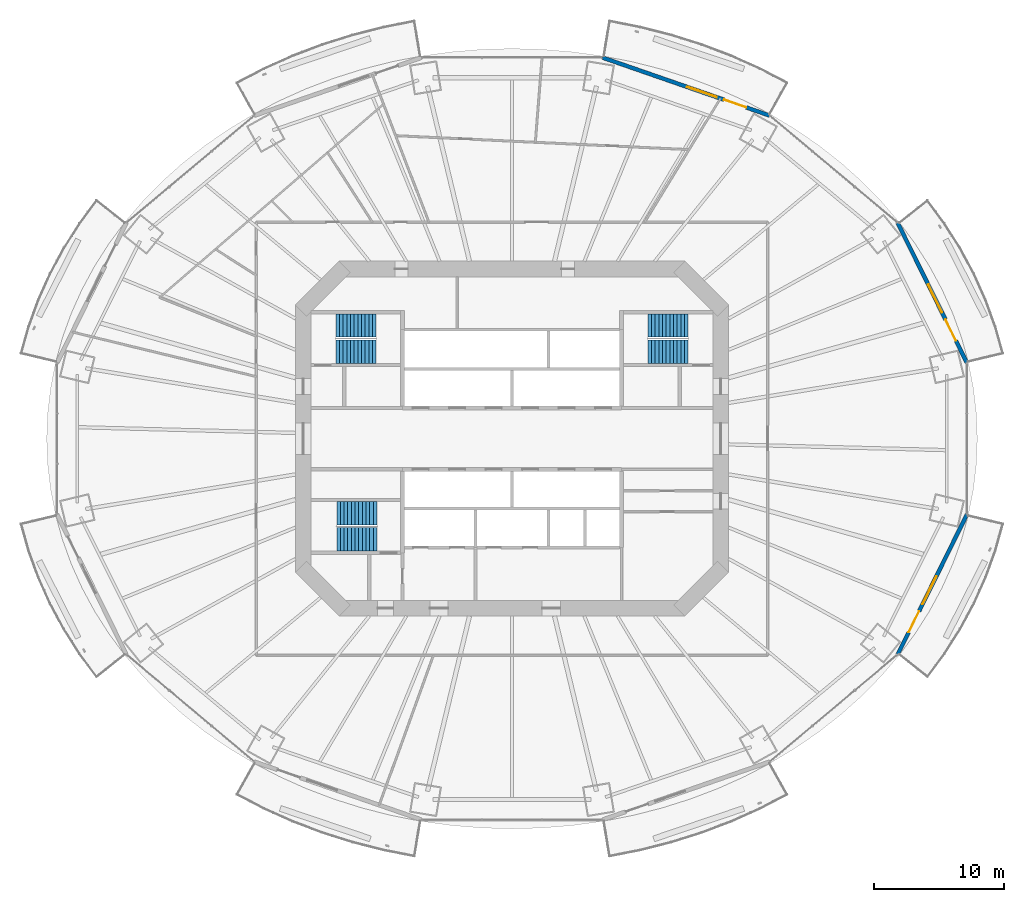
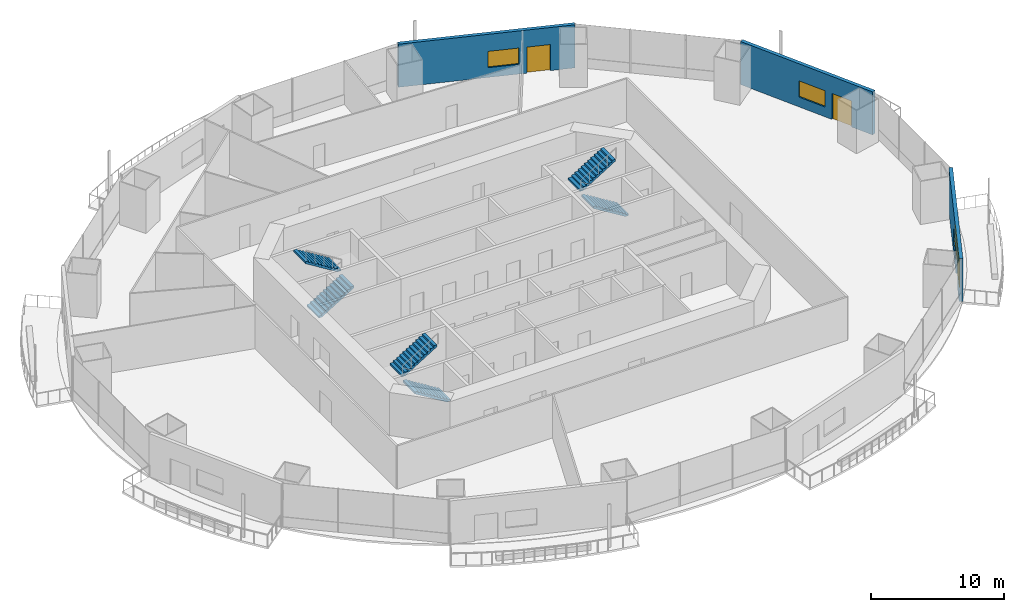
# One storey, part 16 of 22: 6 stair flights, 3 doors, 3 walls, 3 windows, 6 openings, 3 elements without a shape of their own.
"""IFC4 building model written with IfcOpenShell, lengths in metres."""

from ifc_helpers import new_model, si_unit, direction, frame, frame_2d, origin, place, context, subcontext, project, spatial, polyline, rectangle, outline, extrude, material, layer, layer_set, type_object, element, fill, aggregate, save


model = new_model("IFC4")

# Units and contexts
model_context = context("Model", 3, precision=1e-05, world=origin(), true_north=direction((0.0, 1.0)))
body_context = subcontext(model_context, "Body", "Model", "MODEL_VIEW")
ifc_project = project(units=[si_unit("LENGTHUNIT", "METRE"), si_unit("AREAUNIT", "SQUARE_METRE"), si_unit("VOLUMEUNIT", "CUBIC_METRE"), si_unit("PLANEANGLEUNIT", "RADIAN"), si_unit("MASSUNIT", "GRAM", prefix="KILO")], contexts=[model_context])

# Site, building, storey
site_placement = place(None, origin())
site = spatial("IfcSite", under=ifc_project, at=site_placement, CompositionType="ELEMENT")
building_placement = place(site_placement, origin())
building = spatial("IfcBuilding", under=site, at=building_placement, Name="Marenthal Gate Tower", CompositionType="ELEMENT")
storey_placement = place(building_placement, frame((0.0, 0.0, 78.64990234375)))
storey = spatial("IfcBuildingStorey", under=building, at=storey_placement, Name="L15", CompositionType="ELEMENT", Elevation=78.64990234375)

# Wall, openings, door, window
ifc_material_1 = material(Name="Terracotta cladding on insulated concrete-block backing", Category="masonry")
ifc_layer = layer(ifc_material_1, 0.300048828125)
ifc_layer_set = layer_set([ifc_layer], Name="Terracotta facade wall 300")
wall_type = type_object("IfcWallType", Name="Terracotta facade wall 300", PredefinedType="SOLIDWALL", material=ifc_layer_set)
wall_1_placement = place(storey_placement, frame((34.869873046875, 5.810546875, 0.0), z_axis=(0.0, 0.0, 1.0), x_axis=(-0.443222110109, 0.896411825619, 0.0)))
wall_1 = element("IfcWall", 1, at=wall_1_placement, inside=storey, type_object=wall_type, Name="Terracotta facade wall L15 bay 1", PredefinedType="SOLIDWALL", context=body_context, shape_type="SweptSolid", body=[
    extrude(rectangle(XDim=11.977294921875, YDim=0.300048828125, at=frame_2d((5.98876953125, 0.0))), origin(), (0.0, 0.0, 1.0), 3.97021484375),
])
opening_1_placement = place(wall_1_placement, frame((1.89990234375, 0.0, 0.0)))
opening_1 = element("IfcOpeningElement", 2, at=opening_1_placement, cuts=wall_1, Name="Opening BD-L15-01", PredefinedType="OPENING", context=body_context, shape_type="SweptSolid", body=[
    extrude(rectangle(XDim=1.800048828125, YDim=2.39990234375, at=frame_2d((0.89990234375, 1.199951171875))), frame((0.0, 0.16015625, 0.0), z_axis=(0.0, -1.0, 0.0), x_axis=(1.0, 0.0, 0.0)), (0.0, 0.0, 1.0), 0.320068359375),
])
opening_2_placement = place(wall_1_placement, frame((4.300048828125, 0.0, 0.89990234375)))
opening_2 = element("IfcOpeningElement", 3, at=opening_2_placement, cuts=wall_1, Name="Opening WN1-L15-01", PredefinedType="OPENING", context=body_context, shape_type="SweptSolid", body=[
    extrude(rectangle(XDim=2.39990234375, YDim=1.5, at=frame_2d((1.199951171875, 0.75))), frame((0.0, 0.16015625, 0.0), z_axis=(0.0, -1.0, 0.0), x_axis=(1.0, 0.0, 0.0)), (0.0, 0.0, 1.0), 0.320068359375),
])
ifc_material_2 = material(Name="Aluminium and glass", Category="aluminium")
door_type = type_object("IfcDoorType", Name="Balcony door 1800x2400", OperationType="DOUBLE_DOOR_SINGLE_SWING", PredefinedType="DOOR", material=ifc_material_2)
door_1_placement = place(opening_1_placement, origin())
door_1 = element("IfcDoor", 4, at=door_1_placement, inside=storey, type_object=door_type, Name="Balcony door L15 bay 1", OperationType="SINGLE_SWING_LEFT", OverallHeight=2.39990234375, OverallWidth=1.800048828125, PredefinedType="DOOR", context=body_context, shape_type="SweptSolid", body=[
    extrude(rectangle(XDim=1.800048828125, YDim=2.39990234375, at=frame_2d((0.89990234375, 1.199951171875))), frame((0.0, 0.02490234375, 0.0), z_axis=(0.0, -1.0, 0.0), x_axis=(1.0, 0.0, 0.0)), (0.0, 0.0, 1.0), 0.050048828125),
])
fill(opening_1, door_1)
ifc_material_3 = material(Name="Aluminium and glass", Category="aluminium")
window_type = type_object("IfcWindowType", Name="Window 2400x1500", PartitioningType="TRIPLE_PANEL_VERTICAL", PredefinedType="WINDOW", material=ifc_material_3)
window_1_placement = place(opening_2_placement, origin())
window_1 = element("IfcWindow", 5, at=window_1_placement, inside=storey, type_object=window_type, Name="Window L15 bay 1", OverallHeight=1.5, OverallWidth=2.39990234375, PartitioningType="SINGLE_PANEL", PredefinedType="WINDOW", context=body_context, shape_type="SweptSolid", body=[
    extrude(rectangle(XDim=2.39990234375, YDim=1.5, at=frame_2d((1.199951171875, 0.75))), frame((0.0, 0.030029296875, 0.0), z_axis=(0.0, -1.0, 0.0), x_axis=(1.0, 0.0, 0.0)), (0.0, 0.0, 1.0), 0.06005859375),
])
fill(opening_2, window_1)

wall_2_placement = place(storey_placement, frame((19.752197265625, 24.764404296875, 0.0), z_axis=(0.0, 0.0, 1.0), x_axis=(-0.94473738927, 0.327828103304, 0.0)))
wall_2 = element("IfcWall", 6, at=wall_2_placement, inside=storey, type_object=wall_type, Name="Terracotta facade wall L15 bay 3", PredefinedType="SOLIDWALL", context=body_context, shape_type="SweptSolid", body=[
    extrude(rectangle(XDim=13.56591796875, YDim=0.300048828125, at=frame_2d((6.782958984375, 0.0))), origin(), (0.0, 0.0, 1.0), 3.97021484375),
])
opening_3_placement = place(wall_2_placement, frame((1.89990234375, 0.0, 0.0)))
opening_3 = element("IfcOpeningElement", 7, at=opening_3_placement, cuts=wall_2, Name="Opening BD-L15-03", PredefinedType="OPENING", context=body_context, shape_type="SweptSolid", body=[
    extrude(rectangle(XDim=1.800048828125, YDim=2.39990234375, at=frame_2d((0.89990234375, 1.199951171875))), frame((0.0, 0.16015625, 0.0), z_axis=(0.0, -1.0, 0.0), x_axis=(1.0, 0.0, 0.0)), (0.0, 0.0, 1.0), 0.320068359375),
])
opening_4_placement = place(wall_2_placement, frame((4.300048828125, 0.0, 0.89990234375)))
opening_4 = element("IfcOpeningElement", 8, at=opening_4_placement, cuts=wall_2, Name="Opening WN1-L15-03", PredefinedType="OPENING", context=body_context, shape_type="SweptSolid", body=[
    extrude(rectangle(XDim=2.39990234375, YDim=1.5, at=frame_2d((1.199951171875, 0.75))), frame((0.0, 0.16015625, 0.0), z_axis=(0.0, -1.0, 0.0), x_axis=(1.0, 0.0, 0.0)), (0.0, 0.0, 1.0), 0.320068359375),
])
door_2_placement = place(opening_3_placement, origin())
door_2 = element("IfcDoor", 9, at=door_2_placement, inside=storey, type_object=door_type, Name="Balcony door L15 bay 3", OperationType="SINGLE_SWING_LEFT", OverallHeight=2.39990234375, OverallWidth=1.800048828125, PredefinedType="DOOR", context=body_context, shape_type="SweptSolid", body=[
    extrude(rectangle(XDim=1.800048828125, YDim=2.39990234375, at=frame_2d((0.89990234375, 1.199951171875))), frame((0.0, 0.02490234375, 0.0), z_axis=(0.0, -1.0, 0.0), x_axis=(1.0, 0.0, 0.0)), (0.0, 0.0, 1.0), 0.050048828125),
])
fill(opening_3, door_2)
window_2_placement = place(opening_4_placement, origin())
window_2 = element("IfcWindow", 10, at=window_2_placement, inside=storey, type_object=window_type, Name="Window L15 bay 3", OverallHeight=1.5, OverallWidth=2.39990234375, PartitioningType="SINGLE_PANEL", PredefinedType="WINDOW", context=body_context, shape_type="SweptSolid", body=[
    extrude(rectangle(XDim=2.39990234375, YDim=1.5, at=frame_2d((1.199951171875, 0.75))), frame((0.0, 0.030029296875, 0.0), z_axis=(0.0, -1.0, 0.0), x_axis=(1.0, 0.0, 0.0)), (0.0, 0.0, 1.0), 0.06005859375),
])
fill(opening_4, window_2)

wall_3_placement = place(storey_placement, frame((29.561279296875, -16.547119140625, 0.0), z_axis=(0.0, 0.0, 1.0), x_axis=(0.443222110109, 0.896411825619, 0.0)))
wall_3 = element("IfcWall", 11, at=wall_3_placement, inside=storey, type_object=wall_type, Name="Terracotta facade wall L15 bay 15", PredefinedType="SOLIDWALL", context=body_context, shape_type="SweptSolid", body=[
    extrude(rectangle(XDim=11.977294921875, YDim=0.300048828125, at=frame_2d((5.98876953125, 0.0))), origin(), (0.0, 0.0, 1.0), 3.97021484375),
])
opening_5_placement = place(wall_3_placement, frame((1.89990234375, 0.0, 0.0)))
opening_5 = element("IfcOpeningElement", 12, at=opening_5_placement, cuts=wall_3, Name="Opening BD-L15-15", PredefinedType="OPENING", context=body_context, shape_type="SweptSolid", body=[
    extrude(rectangle(XDim=1.800048828125, YDim=2.39990234375, at=frame_2d((0.89990234375, 1.199951171875))), frame((0.0, 0.16015625, 0.0), z_axis=(0.0, -1.0, 0.0), x_axis=(1.0, 0.0, 0.0)), (0.0, 0.0, 1.0), 0.320068359375),
])
opening_6_placement = place(wall_3_placement, frame((4.300048828125, 0.0, 0.89990234375)))
opening_6 = element("IfcOpeningElement", 13, at=opening_6_placement, cuts=wall_3, Name="Opening WN1-L15-15", PredefinedType="OPENING", context=body_context, shape_type="SweptSolid", body=[
    extrude(rectangle(XDim=2.39990234375, YDim=1.5, at=frame_2d((1.199951171875, 0.75))), frame((0.0, 0.16015625, 0.0), z_axis=(0.0, -1.0, 0.0), x_axis=(1.0, 0.0, 0.0)), (0.0, 0.0, 1.0), 0.320068359375),
])
door_3_placement = place(opening_5_placement, origin())
door_3 = element("IfcDoor", 14, at=door_3_placement, inside=storey, type_object=door_type, Name="Balcony door L15 bay 15", OperationType="SINGLE_SWING_LEFT", OverallHeight=2.39990234375, OverallWidth=1.800048828125, PredefinedType="DOOR", context=body_context, shape_type="SweptSolid", body=[
    extrude(rectangle(XDim=1.800048828125, YDim=2.39990234375, at=frame_2d((0.89990234375, 1.199951171875))), frame((0.0, 0.02490234375, 0.0), z_axis=(0.0, -1.0, 0.0), x_axis=(1.0, 0.0, 0.0)), (0.0, 0.0, 1.0), 0.050048828125),
])
fill(opening_5, door_3)
window_3_placement = place(opening_6_placement, origin())
window_3 = element("IfcWindow", 15, at=window_3_placement, inside=storey, type_object=window_type, Name="Window L15 bay 15", OverallHeight=1.5, OverallWidth=2.39990234375, PartitioningType="SINGLE_PANEL", PredefinedType="WINDOW", context=body_context, shape_type="SweptSolid", body=[
    extrude(rectangle(XDim=2.39990234375, YDim=1.5, at=frame_2d((1.199951171875, 0.75))), frame((0.0, 0.030029296875, 0.0), z_axis=(0.0, -1.0, 0.0), x_axis=(1.0, 0.0, 0.0)), (0.0, 0.0, 1.0), 0.06005859375),
])
fill(opening_6, window_3)

# Stair, stair flights
ifc_material_4 = material(Name="Concrete 40 MPa", Category="concrete")
stair_type = type_object("IfcStairType", Name="Exit stair 1800", PredefinedType="HALF_TURN_STAIR", material=ifc_material_4)
stair_1_placement = place(storey_placement, origin())
stair_1 = element("IfcStair", 16, at=stair_1_placement, inside=storey, type_object=stair_type, Name="Stair ST1", PredefinedType="HALF_TURN_STAIR")
ifc_material_5 = material(Name="Concrete 40 MPa", Category="concrete")
stair_flight_type = type_object("IfcStairFlightType", Name="Stair flight 1800", PredefinedType="STRAIGHT", material=ifc_material_5)
stair_flight_1_placement = place(storey_placement, frame((-13.5, 6.675048828125, 0.0), z_axis=(0.0, 0.0, 1.0), x_axis=(1.0, 0.0, 0.0)))
stair_flight_1 = element("IfcStairFlight", 17, at=stair_flight_1_placement, type_object=stair_flight_type, Name="ST1 flight 1", NumberOfRisers=12, NumberOfTreads=11, PredefinedType="STRAIGHT", RiserHeight=0.172916667, TreadLength=0.28, context=body_context, shape_type="SweptSolid", body=[
    extrude(outline(polyline([(0.0, 0.0), (0.0, 0.1728515625), (0.280029296875, 0.1728515625), (0.280029296875, 0.345947265625), (0.56005859375, 0.345947265625), (0.56005859375, 0.518798828125), (0.840087890625, 0.518798828125), (0.840087890625, 0.691650390625), (1.1201171875, 0.691650390625), (1.1201171875, 0.864501953125), (1.39990234375, 0.864501953125), (1.39990234375, 1.03759765625), (1.679931640625, 1.03759765625), (1.679931640625, 1.21044921875), (1.9599609375, 1.21044921875), (1.9599609375, 1.38330078125), (2.239990234375, 1.38330078125), (2.239990234375, 1.55615234375), (2.52001953125, 1.55615234375), (2.52001953125, 1.729248046875), (2.800048828125, 1.729248046875), (2.800048828125, 1.902099609375), (3.080078125, 1.902099609375), (3.080078125, 2.074951171875), (3.080078125, 1.725830078125), (0.285400390625, 0.0), (0.0, 0.0)])), frame((0.0, 0.89990234375, 0.0), z_axis=(0.0, -1.0, 0.0), x_axis=(1.0, 0.0, 0.0)), (0.0, 0.0, 1.0), 1.800048828125),
])
stair_flight_2_placement = place(storey_placement, frame((-10.419921875, 8.675048828125, 2.0751953125), z_axis=(0.0, 0.0, 1.0), x_axis=(-1.0, 0.0, 0.0)))
stair_flight_2 = element("IfcStairFlight", 18, at=stair_flight_2_placement, type_object=stair_flight_type, Name="ST1 flight 2", NumberOfRisers=12, NumberOfTreads=11, PredefinedType="STRAIGHT", RiserHeight=0.172916667, TreadLength=0.28, context=body_context, shape_type="SweptSolid", body=[
    extrude(outline(polyline([(0.0, 0.0), (0.0, 0.1728515625), (0.280029296875, 0.1728515625), (0.280029296875, 0.345947265625), (0.56005859375, 0.345947265625), (0.56005859375, 0.518798828125), (0.840087890625, 0.518798828125), (0.840087890625, 0.691650390625), (1.1201171875, 0.691650390625), (1.1201171875, 0.864501953125), (1.39990234375, 0.864501953125), (1.39990234375, 1.03759765625), (1.679931640625, 1.03759765625), (1.679931640625, 1.21044921875), (1.9599609375, 1.21044921875), (1.9599609375, 1.38330078125), (2.239990234375, 1.38330078125), (2.239990234375, 1.55615234375), (2.52001953125, 1.55615234375), (2.52001953125, 1.729248046875), (2.800048828125, 1.729248046875), (2.800048828125, 1.902099609375), (3.080078125, 1.902099609375), (3.080078125, 2.074951171875), (3.080078125, 1.725830078125), (0.285400390625, 0.0), (0.0, 0.0)])), frame((0.0, 0.89990234375, 0.0), z_axis=(0.0, -1.0, 0.0), x_axis=(1.0, 0.0, 0.0)), (0.0, 0.0, 1.0), 1.800048828125),
])
aggregate(stair_1, [stair_flight_1, stair_flight_2])

stair_2_placement = place(storey_placement, origin())
stair_2 = element("IfcStair", 19, at=stair_2_placement, inside=storey, type_object=stair_type, Name="Stair ST2", PredefinedType="HALF_TURN_STAIR")
stair_flight_3_placement = place(storey_placement, frame((-10.35009765625, -7.72509765625, 0.0), z_axis=(0.0, 0.0, 1.0), x_axis=(-1.0, 0.0, 0.0)))
stair_flight_3 = element("IfcStairFlight", 20, at=stair_flight_3_placement, type_object=stair_flight_type, Name="ST2 flight 1", NumberOfRisers=12, NumberOfTreads=11, PredefinedType="STRAIGHT", RiserHeight=0.172916667, TreadLength=0.28, context=body_context, shape_type="SweptSolid", body=[
    extrude(outline(polyline([(0.0, 0.0), (0.0, 0.1728515625), (0.280029296875, 0.1728515625), (0.280029296875, 0.345947265625), (0.56005859375, 0.345947265625), (0.56005859375, 0.518798828125), (0.840087890625, 0.518798828125), (0.840087890625, 0.691650390625), (1.1201171875, 0.691650390625), (1.1201171875, 0.864501953125), (1.39990234375, 0.864501953125), (1.39990234375, 1.03759765625), (1.679931640625, 1.03759765625), (1.679931640625, 1.21044921875), (1.9599609375, 1.21044921875), (1.9599609375, 1.38330078125), (2.239990234375, 1.38330078125), (2.239990234375, 1.55615234375), (2.52001953125, 1.55615234375), (2.52001953125, 1.729248046875), (2.800048828125, 1.729248046875), (2.800048828125, 1.902099609375), (3.080078125, 1.902099609375), (3.080078125, 2.074951171875), (3.080078125, 1.725830078125), (0.285400390625, 0.0), (0.0, 0.0)])), frame((0.0, 0.89990234375, 0.0), z_axis=(0.0, -1.0, 0.0), x_axis=(1.0, 0.0, 0.0)), (0.0, 0.0, 1.0), 1.800048828125),
])
stair_flight_4_placement = place(storey_placement, frame((-13.429931640625, -5.72509765625, 2.0751953125), z_axis=(0.0, 0.0, 1.0), x_axis=(1.0, 0.0, 0.0)))
stair_flight_4 = element("IfcStairFlight", 21, at=stair_flight_4_placement, type_object=stair_flight_type, Name="ST2 flight 2", NumberOfRisers=12, NumberOfTreads=11, PredefinedType="STRAIGHT", RiserHeight=0.172916667, TreadLength=0.28, context=body_context, shape_type="SweptSolid", body=[
    extrude(outline(polyline([(0.0, 0.0), (0.0, 0.1728515625), (0.280029296875, 0.1728515625), (0.280029296875, 0.345947265625), (0.56005859375, 0.345947265625), (0.56005859375, 0.518798828125), (0.840087890625, 0.518798828125), (0.840087890625, 0.691650390625), (1.1201171875, 0.691650390625), (1.1201171875, 0.864501953125), (1.39990234375, 0.864501953125), (1.39990234375, 1.03759765625), (1.679931640625, 1.03759765625), (1.679931640625, 1.21044921875), (1.9599609375, 1.21044921875), (1.9599609375, 1.38330078125), (2.239990234375, 1.38330078125), (2.239990234375, 1.55615234375), (2.52001953125, 1.55615234375), (2.52001953125, 1.729248046875), (2.800048828125, 1.729248046875), (2.800048828125, 1.902099609375), (3.080078125, 1.902099609375), (3.080078125, 2.074951171875), (3.080078125, 1.725830078125), (0.285400390625, 0.0), (0.0, 0.0)])), frame((0.0, 0.89990234375, 0.0), z_axis=(0.0, -1.0, 0.0), x_axis=(1.0, 0.0, 0.0)), (0.0, 0.0, 1.0), 1.800048828125),
])
aggregate(stair_2, [stair_flight_3, stair_flight_4])

stair_3_placement = place(storey_placement, origin())
stair_3 = element("IfcStair", 22, at=stair_3_placement, inside=storey, type_object=stair_type, Name="Stair ST3", PredefinedType="HALF_TURN_STAIR")
stair_flight_5_placement = place(storey_placement, frame((13.5, 6.675048828125, 0.0), z_axis=(0.0, 0.0, 1.0), x_axis=(-1.0, 0.0, 0.0)))
stair_flight_5 = element("IfcStairFlight", 23, at=stair_flight_5_placement, type_object=stair_flight_type, Name="ST3 flight 1", NumberOfRisers=12, NumberOfTreads=11, PredefinedType="STRAIGHT", RiserHeight=0.172916667, TreadLength=0.28, context=body_context, shape_type="SweptSolid", body=[
    extrude(outline(polyline([(0.0, 0.0), (0.0, 0.1728515625), (0.280029296875, 0.1728515625), (0.280029296875, 0.345947265625), (0.56005859375, 0.345947265625), (0.56005859375, 0.518798828125), (0.840087890625, 0.518798828125), (0.840087890625, 0.691650390625), (1.1201171875, 0.691650390625), (1.1201171875, 0.864501953125), (1.39990234375, 0.864501953125), (1.39990234375, 1.03759765625), (1.679931640625, 1.03759765625), (1.679931640625, 1.21044921875), (1.9599609375, 1.21044921875), (1.9599609375, 1.38330078125), (2.239990234375, 1.38330078125), (2.239990234375, 1.55615234375), (2.52001953125, 1.55615234375), (2.52001953125, 1.729248046875), (2.800048828125, 1.729248046875), (2.800048828125, 1.902099609375), (3.080078125, 1.902099609375), (3.080078125, 2.074951171875), (3.080078125, 1.725830078125), (0.285400390625, 0.0), (0.0, 0.0)])), frame((0.0, 0.89990234375, 0.0), z_axis=(0.0, -1.0, 0.0), x_axis=(1.0, 0.0, 0.0)), (0.0, 0.0, 1.0), 1.800048828125),
])
stair_flight_6_placement = place(storey_placement, frame((10.419921875, 8.675048828125, 2.0751953125), z_axis=(0.0, 0.0, 1.0), x_axis=(1.0, 0.0, 0.0)))
stair_flight_6 = element("IfcStairFlight", 24, at=stair_flight_6_placement, type_object=stair_flight_type, Name="ST3 flight 2", NumberOfRisers=12, NumberOfTreads=11, PredefinedType="STRAIGHT", RiserHeight=0.172916667, TreadLength=0.28, context=body_context, shape_type="SweptSolid", body=[
    extrude(outline(polyline([(0.0, 0.0), (0.0, 0.1728515625), (0.280029296875, 0.1728515625), (0.280029296875, 0.345947265625), (0.56005859375, 0.345947265625), (0.56005859375, 0.518798828125), (0.840087890625, 0.518798828125), (0.840087890625, 0.691650390625), (1.1201171875, 0.691650390625), (1.1201171875, 0.864501953125), (1.39990234375, 0.864501953125), (1.39990234375, 1.03759765625), (1.679931640625, 1.03759765625), (1.679931640625, 1.21044921875), (1.9599609375, 1.21044921875), (1.9599609375, 1.38330078125), (2.239990234375, 1.38330078125), (2.239990234375, 1.55615234375), (2.52001953125, 1.55615234375), (2.52001953125, 1.729248046875), (2.800048828125, 1.729248046875), (2.800048828125, 1.902099609375), (3.080078125, 1.902099609375), (3.080078125, 2.074951171875), (3.080078125, 1.725830078125), (0.285400390625, 0.0), (0.0, 0.0)])), frame((0.0, 0.89990234375, 0.0), z_axis=(0.0, -1.0, 0.0), x_axis=(1.0, 0.0, 0.0)), (0.0, 0.0, 1.0), 1.800048828125),
])
aggregate(stair_3, [stair_flight_5, stair_flight_6])

save(model, "model.ifc")
